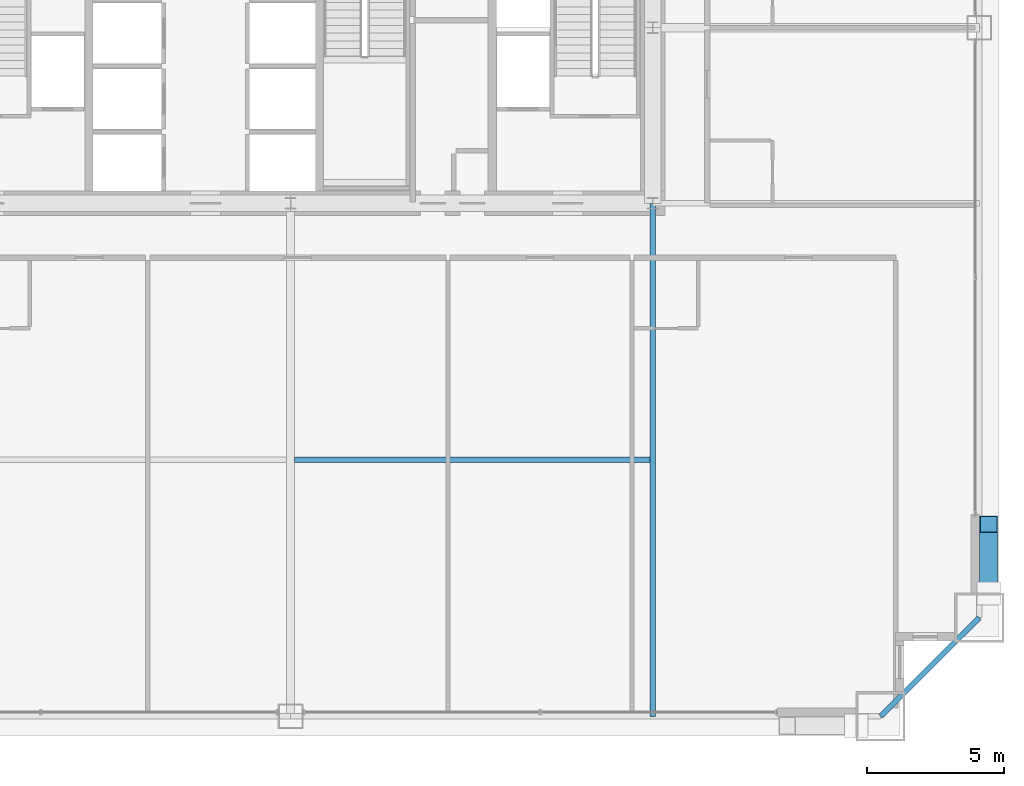
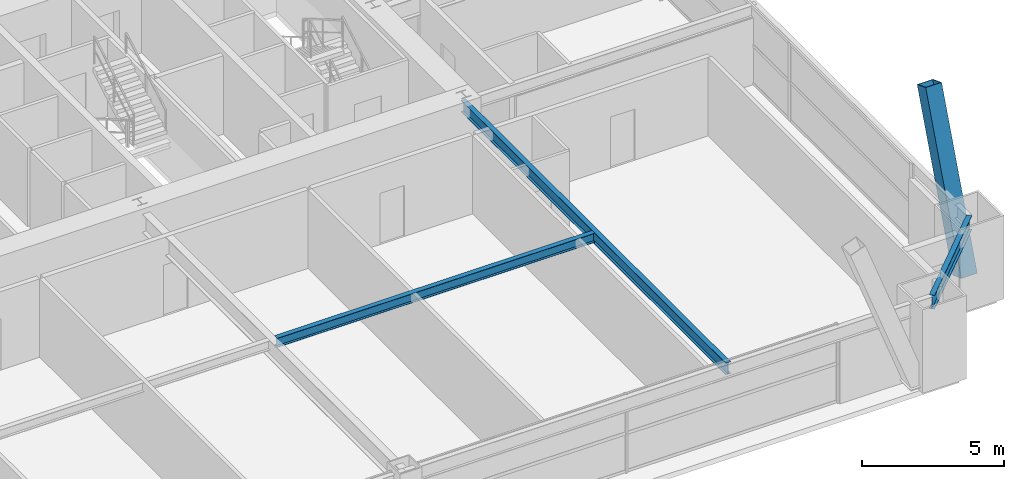
# One storey, part 16 of 43: 3 beams, 1 member.
"""IFC4 building model written with IfcOpenShell, lengths in metres."""

from ifc_helpers import new_model, si_unit, direction, frame, origin, origin_2d, place, context, subcontext, project, spatial, hollow_rectangle, i_section, extrude, source, transform, mapped, material, material_profile, profile_set, type_object, element, save


model = new_model("IFC4")

# Units and contexts
model_context = context("Model", 3, precision=1e-05, world=origin(), true_north=direction((0.0, 1.0)))
body_context = subcontext(model_context, "Body", "Model", "MODEL_VIEW")
ifc_project = project(units=[si_unit("LENGTHUNIT", "METRE"), si_unit("AREAUNIT", "SQUARE_METRE"), si_unit("VOLUMEUNIT", "CUBIC_METRE"), si_unit("PLANEANGLEUNIT", "RADIAN"), si_unit("MASSUNIT", "GRAM", prefix="KILO"), si_unit("THERMODYNAMICTEMPERATUREUNIT", "KELVIN"), si_unit("POWERUNIT", "WATT")], contexts=[model_context])

# Site, building, storey
site_placement = place(None, origin())
site = spatial("IfcSite", under=ifc_project, at=site_placement, CompositionType="ELEMENT")
building_placement = place(site_placement, origin())
building = spatial("IfcBuilding", under=site, at=building_placement, Name="Yuzanri Waterfront Tower", CompositionType="ELEMENT")
storey_placement = place(building_placement, frame((0.0, 0.0, 53.199951171875)))
storey = spatial("IfcBuildingStorey", under=building, at=storey_placement, Name="L13", CompositionType="ELEMENT", Elevation=53.199951171875)

# Beams
ifc_material_1 = material(Name="Steel Q355B", Category="steel")
ifc_material_profile_1 = material_profile(ifc_material_1, i_section(OverallWidth=0.199951171875, OverallDepth=0.60009765625, WebThickness=0.010986328125, FlangeThickness=0.01708984375, at=origin_2d()), Name="HN 600x200x11x17")
ifc_profile_set_1 = profile_set([ifc_material_profile_1], Name="Steel Q355B")
beam_type_1 = type_object("IfcBeamType", Name="Perimeter Spandrel Q355B HN 600x200", PredefinedType="SPANDREL", material=ifc_profile_set_1)
shared_shape_1 = source(origin(), body_context, "Body", "SweptSolid", [
    extrude(i_section(OverallWidth=0.199951171875, OverallDepth=0.60009765625, WebThickness=0.010986328125, FlangeThickness=0.01708984375, at=origin_2d()), origin(), (0.0, 0.0, 1.0), 5.09130859375),
])
beam_1_placement = place(storey_placement, frame((58.5, 0.699951171875, 3.080078125), z_axis=(0.707106781187, 0.707106781187, 0.0), x_axis=(-0.707106781187, 0.707106781187, 0.0)))
element("IfcBeam", 1, at=beam_1_placement, inside=storey, type_object=beam_type_1, Name="L13 Perimeter Spandrel S3-E1", PredefinedType="SPANDREL", context=body_context, shape_type="MappedRepresentation", body=[
    mapped(shared_shape_1, transform((0.0, 0.0, 0.0), scale=1.0)),
])
ifc_material_2 = material(Name="Steel Q355B", Category="steel")
ifc_material_profile_2 = material_profile(ifc_material_2, i_section(OverallWidth=0.199951171875, OverallDepth=0.5, WebThickness=0.010009765625, FlangeThickness=0.01611328125, at=origin_2d()), Name="HN 500x200x10x16")
ifc_profile_set_2 = profile_set([ifc_material_profile_2], Name="Steel Q355B")
beam_type_2 = type_object("IfcBeamType", Name="Secondary Floor Beam Q355B HN 500x200", PredefinedType="BEAM", material=ifc_profile_set_2)
shared_shape_2 = source(origin(), body_context, "Body", "SweptSolid", [
    extrude(i_section(OverallWidth=0.199951171875, OverallDepth=0.5, WebThickness=0.010009765625, FlangeThickness=0.01611328125, at=origin_2d()), origin(), (0.0, 0.0, 1.0), 18.699951171875),
])
beam_2_placement = place(storey_placement, frame((50.199951171875, 19.39990234375, 3.130126953125), z_axis=(0.0, -1.0, 0.0), x_axis=(1.0, 0.0, 0.0)))
element("IfcBeam", 2, at=beam_2_placement, inside=storey, type_object=beam_type_2, Name="L13 South-East Core Line Beam", PredefinedType="BEAM", context=body_context, shape_type="MappedRepresentation", body=[
    mapped(shared_shape_2, transform((0.0, 0.0, 0.0), scale=1.0)),
])
ifc_material_3 = material(Name="Steel Q355B", Category="steel")
ifc_material_profile_3 = material_profile(ifc_material_3, i_section(OverallWidth=0.199951171875, OverallDepth=0.39990234375, WebThickness=0.008056640625, FlangeThickness=0.012939453125, at=origin_2d()), Name="HN 400x200x8x13")
ifc_profile_set_3 = profile_set([ifc_material_profile_3], Name="Steel Q355B")
beam_type_3 = type_object("IfcBeamType", Name="Floor Joist Q355B HN 400x200", PredefinedType="JOIST", material=ifc_profile_set_3)
shared_shape_3 = source(origin(), body_context, "Body", "SweptSolid", [
    extrude(i_section(OverallWidth=0.199951171875, OverallDepth=0.39990234375, WebThickness=0.008056640625, FlangeThickness=0.012939453125, at=origin_2d()), origin(), (0.0, 0.0, 1.0), 12.9501953125),
])
beam_3_placement = place(storey_placement, frame((37.14990234375, 10.050048828125, 3.179931640625), z_axis=(1.0, 0.0, 0.0), x_axis=(0.0, 1.0, 0.0)))
element("IfcBeam", 3, at=beam_3_placement, inside=storey, type_object=beam_type_3, Name="L13 South Bay Joist E", PredefinedType="JOIST", context=body_context, shape_type="MappedRepresentation", body=[
    mapped(shared_shape_3, transform((0.0, 0.0, 0.0), scale=1.0)),
])

# Member
ifc_material_4 = material(Name="Steel Q420GJC", Category="steel")
ifc_material_profile_4 = material_profile(ifc_material_4, hollow_rectangle(XDim=0.64990234375, YDim=0.64990234375, WallThickness=0.028076171875, at=origin_2d()), Name="RHS 650x650x28")
ifc_profile_set_4 = profile_set([ifc_material_profile_4], Name="Steel Q420GJC")
member_type = type_object("IfcMemberType", Name="Mega Brace Lower Q420GJC RHS 650x650x28", PredefinedType="BRACE", material=ifc_profile_set_4)
shared_shape_4 = source(origin(), body_context, "Body", "SweptSolid", [
    extrude(hollow_rectangle(XDim=0.64990234375, YDim=0.64990234375, WallThickness=0.028076171875, at=origin_2d()), origin(), (0.0, 0.0, 1.0), 7.158447265625),
])
member_placement = place(storey_placement, frame((62.43994140625, 5.179931640625, 0.179931640625), z_axis=(0.0, 0.352035242291, 0.935986745731), x_axis=(-1.0, 0.0, 0.0)))
element("IfcMember", 4, at=member_placement, inside=storey, type_object=member_type, Name="L13-L14 Perimeter Mega-Brace E-L", PredefinedType="BRACE", context=body_context, shape_type="MappedRepresentation", body=[
    mapped(shared_shape_4, transform((0.0, 0.0, 0.0), scale=1.0)),
])

save(model, "model.ifc")
